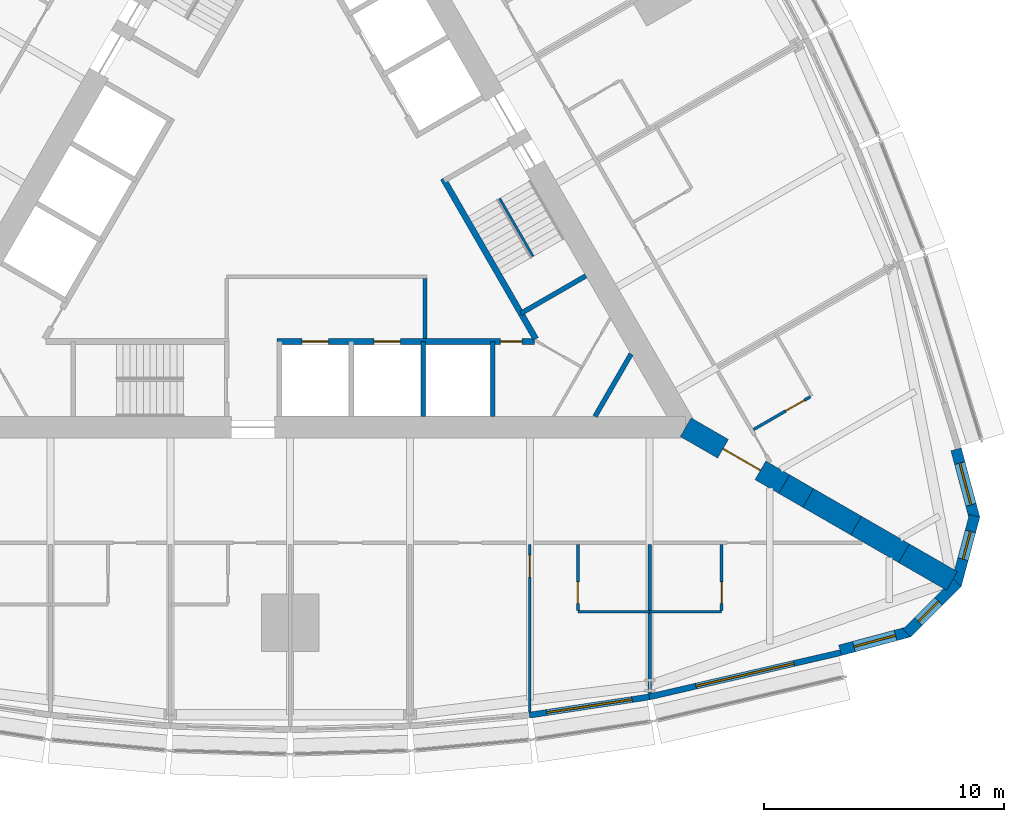
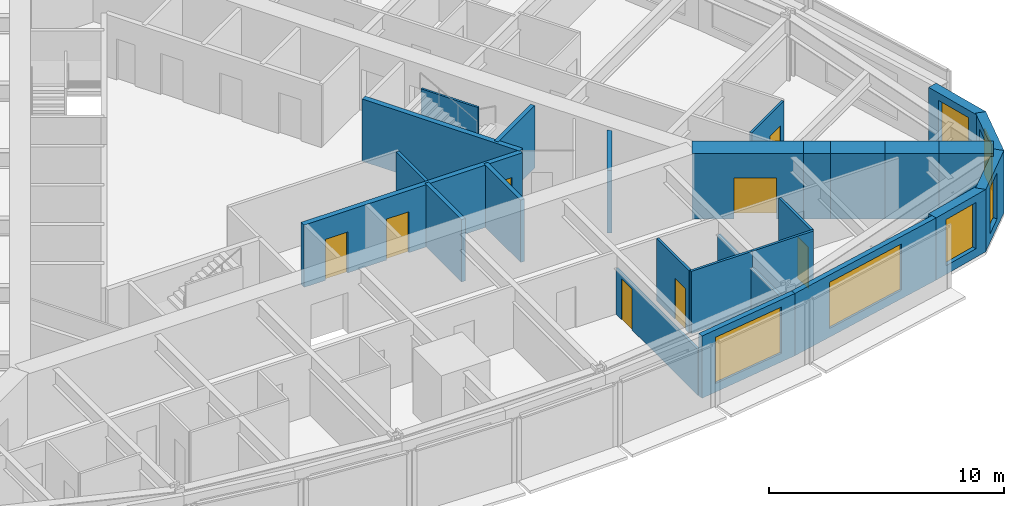
# One storey, part 10 of 14: 26 walls, 8 doors, 6 windows, 14 openings.
"""IFC4 building model written with IfcOpenShell, lengths in metres."""

from ifc_helpers import new_model, si_unit, direction, frame, frame_2d, origin, place, context, subcontext, project, spatial, polyline, rectangle, outline, extrude, material, layer, layer_set, type_object, element, fill, save


model = new_model("IFC4")

# Units and contexts
model_context = context("Model", 3, precision=1e-05, world=origin(), true_north=direction((0.0, 1.0)))
body_context = subcontext(model_context, "Body", "Model", "MODEL_VIEW")
ifc_project = project(units=[si_unit("LENGTHUNIT", "METRE"), si_unit("AREAUNIT", "SQUARE_METRE"), si_unit("VOLUMEUNIT", "CUBIC_METRE"), si_unit("PLANEANGLEUNIT", "RADIAN"), si_unit("MASSUNIT", "GRAM", prefix="KILO")], contexts=[model_context])

# Site, building, storey
site_placement = place(None, origin())
site = spatial("IfcSite", under=ifc_project, at=site_placement, CompositionType="ELEMENT")
building_placement = place(site_placement, origin())
building = spatial("IfcBuilding", under=site, at=building_placement, Name="Trikona Tower", CompositionType="ELEMENT")
storey_placement = place(building_placement, frame((0.0, 0.0, 59.10009765625)))
storey = spatial("IfcBuildingStorey", under=building, at=storey_placement, Name="L14", CompositionType="ELEMENT", Elevation=59.10009765625)

# Wall
ifc_material_1 = material(Name="Metal stud and cement board", Category="gypsum")
ifc_layer_1 = layer(ifc_material_1, 0.1201171875)
ifc_layer_set_1 = layer_set([ifc_layer_1], Name="Bathroom wall 120")
wall_type_1 = type_object("IfcWallType", Name="Bathroom wall 120", PredefinedType="PLUMBINGWALL", material=ifc_layer_set_1)
wall_1_placement = place(storey_placement, frame((12.0, -17.226318359375, 0.0), z_axis=(0.0, 0.0, 1.0), x_axis=(1.0, 0.0, 0.0)))
element("IfcWall", 1, at=wall_1_placement, inside=storey, type_object=wall_type_1, Name="Bathroom wall 1405.1", PredefinedType="PLUMBINGWALL", context=body_context, shape_type="SweptSolid", body=[
    extrude(rectangle(XDim=3.0, YDim=0.1201171875, at=frame_2d((1.5, 0.0))), origin(), (0.0, 0.0, 1.0), 3.23486328125),
])

# Wall, opening, door
wall_2_placement = place(storey_placement, frame((12.0, -14.42626953125, 0.0), z_axis=(0.0, 0.0, 1.0), x_axis=(0.0, -1.0, 0.0)))
wall_2 = element("IfcWall", 2, at=wall_2_placement, inside=storey, type_object=wall_type_1, Name="Bathroom wall 1405.1", PredefinedType="PLUMBINGWALL", context=body_context, shape_type="SweptSolid", body=[
    extrude(rectangle(XDim=2.739990234375, YDim=0.1201171875, at=frame_2d((1.3701171875, 0.0))), origin(), (0.0, 0.0, 1.0), 3.23486328125),
])
opening_1_placement = place(wall_2_placement, frame((1.550048828125, 0.0, 0.0)))
opening_1 = element("IfcOpeningElement", 3, at=opening_1_placement, cuts=wall_2, Name="Opening D2", PredefinedType="OPENING", context=body_context, shape_type="SweptSolid", body=[
    extrude(rectangle(XDim=0.89990234375, YDim=2.1298828125, at=frame_2d((0.449951171875, 1.06494140625))), frame((0.0, 0.070068359375, 0.0), z_axis=(0.0, -1.0, 0.0), x_axis=(1.0, 0.0, 0.0)), (0.0, 0.0, 1.0), 0.14013671875),
])
ifc_material_2 = material(Name="Steel door frame with solid-core timber leaf", Category="steel")
door_type_1 = type_object("IfcDoorType", Name="Bathroom door 900x2130", OperationType="SLIDING_TO_LEFT", PredefinedType="DOOR", material=ifc_material_2)
door_1_placement = place(opening_1_placement, origin())
door_1 = element("IfcDoor", 4, at=door_1_placement, inside=storey, type_object=door_type_1, Name="Bathroom door 1405.1", OperationType="SLIDING_TO_LEFT", OverallHeight=2.1298828125, OverallWidth=0.89990234375, PredefinedType="DOOR", context=body_context, shape_type="SweptSolid", body=[
    extrude(rectangle(XDim=0.89990234375, YDim=2.1298828125, at=frame_2d((0.449951171875, 1.06494140625))), frame((0.0, 0.02490234375, 0.0), z_axis=(0.0, -1.0, 0.0), x_axis=(1.0, 0.0, 0.0)), (0.0, 0.0, 1.0), 0.050048828125),
])
fill(opening_1, door_1)

# Wall
wall_3_placement = place(storey_placement, frame((15.0, -17.226318359375, 0.0), z_axis=(0.0, 0.0, 1.0), x_axis=(1.0, 0.0, 0.0)))
element("IfcWall", 5, at=wall_3_placement, inside=storey, type_object=wall_type_1, Name="Bathroom wall 1406", PredefinedType="PLUMBINGWALL", context=body_context, shape_type="SweptSolid", body=[
    extrude(rectangle(XDim=3.0, YDim=0.1201171875, at=frame_2d((1.5, 0.0))), origin(), (0.0, 0.0, 1.0), 3.23486328125),
])

# Wall, opening, door
wall_4_placement = place(storey_placement, frame((18.0, -14.42626953125, 0.0), z_axis=(0.0, 0.0, 1.0), x_axis=(0.0, -1.0, 0.0)))
wall_4 = element("IfcWall", 6, at=wall_4_placement, inside=storey, type_object=wall_type_1, Name="Bathroom wall 1406", PredefinedType="PLUMBINGWALL", context=body_context, shape_type="SweptSolid", body=[
    extrude(rectangle(XDim=2.739990234375, YDim=0.1201171875, at=frame_2d((1.3701171875, 0.0))), origin(), (0.0, 0.0, 1.0), 3.23486328125),
])
opening_2_placement = place(wall_4_placement, frame((1.550048828125, 0.0, 0.0)))
opening_2 = element("IfcOpeningElement", 7, at=opening_2_placement, cuts=wall_4, Name="Opening D2", PredefinedType="OPENING", context=body_context, shape_type="SweptSolid", body=[
    extrude(rectangle(XDim=0.89990234375, YDim=2.1298828125, at=frame_2d((0.449951171875, 1.06494140625))), frame((0.0, 0.070068359375, 0.0), z_axis=(0.0, -1.0, 0.0), x_axis=(1.0, 0.0, 0.0)), (0.0, 0.0, 1.0), 0.14013671875),
])
door_2_placement = place(opening_2_placement, origin())
door_2 = element("IfcDoor", 8, at=door_2_placement, inside=storey, type_object=door_type_1, Name="Bathroom door 1406", OperationType="SLIDING_TO_LEFT", OverallHeight=2.1298828125, OverallWidth=0.89990234375, PredefinedType="DOOR", context=body_context, shape_type="SweptSolid", body=[
    extrude(rectangle(XDim=0.89990234375, YDim=2.1298828125, at=frame_2d((0.449951171875, 1.06494140625))), frame((0.0, 0.02490234375, 0.0), z_axis=(0.0, -1.0, 0.0), x_axis=(1.0, 0.0, 0.0)), (0.0, 0.0, 1.0), 0.050048828125),
])
fill(opening_2, door_2)

wall_5_placement = place(storey_placement, frame((19.32861328125, -9.625244140625, 0.0), z_axis=(0.0, 0.0, 1.0), x_axis=(0.866035715982, 0.499982138324, 0.0)))
wall_5 = element("IfcWall", 9, at=wall_5_placement, inside=storey, type_object=wall_type_1, Name="Bathroom wall 1407", PredefinedType="PLUMBINGWALL", context=body_context, shape_type="SweptSolid", body=[
    extrude(rectangle(XDim=2.73974609375, YDim=0.1201171875, at=frame_2d((1.369873046875, 0.0))), origin(), (0.0, 0.0, 1.0), 3.23486328125),
])
opening_3_placement = place(wall_5_placement, frame((1.550048828125, 0.0, 0.0)))
opening_3 = element("IfcOpeningElement", 10, at=opening_3_placement, cuts=wall_5, Name="Opening D2", PredefinedType="OPENING", context=body_context, shape_type="SweptSolid", body=[
    extrude(rectangle(XDim=0.89990234375, YDim=2.1298828125, at=frame_2d((0.449951171875, 1.06494140625))), frame((0.0, 0.070068359375, 0.0), z_axis=(0.0, -1.0, 0.0), x_axis=(1.0, 0.0, 0.0)), (0.0, 0.0, 1.0), 0.14013671875),
])
door_3_placement = place(opening_3_placement, origin())
door_3 = element("IfcDoor", 11, at=door_3_placement, inside=storey, type_object=door_type_1, Name="Bathroom door 1407", OperationType="SLIDING_TO_LEFT", OverallHeight=2.1298828125, OverallWidth=0.89990234375, PredefinedType="DOOR", context=body_context, shape_type="SweptSolid", body=[
    extrude(rectangle(XDim=0.89990234375, YDim=2.1298828125, at=frame_2d((0.449951171875, 1.06494140625))), frame((0.0, 0.02490234375, 0.0), z_axis=(0.0, -1.0, 0.0), x_axis=(1.0, 0.0, 0.0)), (0.0, 0.0, 1.0), 0.050048828125),
])
fill(opening_3, door_3)

# Wall, opening, window
ifc_material_3 = material(Name="Brick-faced precast concrete", Category="masonry")
ifc_layer_2 = layer(ifc_material_3, 0.449951171875)
ifc_layer_set_2 = layer_set([ifc_layer_2], Name="Brick-faced corner wall 450")
wall_type_2 = type_object("IfcWallType", Name="Brick-faced corner wall 450", PredefinedType="SOLIDWALL", material=ifc_layer_set_2)
wall_6_placement = place(storey_placement, frame((22.94189453125, -18.835205078125, 0.0), z_axis=(0.0, 0.0, 1.0), x_axis=(0.965930548995, 0.258801419081, 0.0)))
wall_6 = element("IfcWall", 12, at=wall_6_placement, inside=storey, type_object=wall_type_2, Name="External wall L14-08", PredefinedType="SOLIDWALL", context=body_context, shape_type="SweptSolid", body=[
    extrude(rectangle(XDim=2.988525390625, YDim=0.449951171875, at=frame_2d((1.494140625, 0.0))), origin(), (0.0, 0.0, 1.0), 3.23486328125),
])
opening_4_placement = place(wall_6_placement, frame((0.59423828125, 0.0, 0.449951171875)))
opening_4 = element("IfcOpeningElement", 13, at=opening_4_placement, cuts=wall_6, Name="Opening W1824", PredefinedType="OPENING", context=body_context, shape_type="SweptSolid", body=[
    extrude(rectangle(XDim=1.800048828125, YDim=2.39990234375, at=frame_2d((0.89990234375, 1.199951171875))), frame((0.0, 0.23486328125, 0.0), z_axis=(0.0, -1.0, 0.0), x_axis=(1.0, 0.0, 0.0)), (0.0, 0.0, 1.0), 0.469970703125),
])
ifc_material_4 = material(Name="Aluminium-framed double glazing", Category="aluminium")
window_type_1 = type_object("IfcWindowType", Name="Window 1800x2400", PartitioningType="SINGLE_PANEL", PredefinedType="WINDOW", material=ifc_material_4)
window_1_placement = place(opening_4_placement, origin())
window_1 = element("IfcWindow", 14, at=window_1_placement, inside=storey, type_object=window_type_1, Name="Window 1406", OverallHeight=2.39990234375, OverallWidth=1.800048828125, PartitioningType="SINGLE_PANEL", PredefinedType="WINDOW", context=body_context, shape_type="SweptSolid", body=[
    extrude(rectangle(XDim=1.800048828125, YDim=2.39990234375, at=frame_2d((0.89990234375, 1.199951171875))), frame((0.0, 0.030029296875, 0.0), z_axis=(0.0, -1.0, 0.0), x_axis=(1.0, 0.0, 0.0)), (0.0, 0.0, 1.0), 0.06005859375),
])
fill(opening_4, window_1)

wall_7_placement = place(storey_placement, frame((25.727783203125, -18.1201171875, 0.0), z_axis=(0.0, 0.0, 1.0), x_axis=(0.707025086683, 0.707188466253, 0.0)))
wall_7 = element("IfcWall", 15, at=wall_7_placement, inside=storey, type_object=wall_type_2, Name="External wall L14-09", PredefinedType="SOLIDWALL", context=body_context, shape_type="SweptSolid", body=[
    extrude(outline(polyline([(2.988525390625, 0.22509765625), (2.929931640625, 0.22509765625), (2.4375, 0.093017578125), (2.402099609375, 0.22509765625), (0.0, 0.22509765625), (0.0, -0.22509765625), (2.988525390625, -0.22509765625), (2.988525390625, 0.22509765625)])), origin(), (0.0, 0.0, 1.0), 3.23486328125),
])
opening_5_placement = place(wall_7_placement, frame((0.676025390625, 0.0, 0.449951171875)))
opening_5 = element("IfcOpeningElement", 16, at=opening_5_placement, cuts=wall_7, Name="Opening W1224", PredefinedType="OPENING", context=body_context, shape_type="SweptSolid", body=[
    extrude(rectangle(XDim=1.199951171875, YDim=2.39990234375, at=frame_2d((0.60009765625, 1.199951171875))), frame((0.0, 0.23486328125, 0.0), z_axis=(0.0, -1.0, 0.0), x_axis=(1.0, 0.0, 0.0)), (0.0, 0.0, 1.0), 0.469970703125),
])
ifc_material_5 = material(Name="Aluminium-framed double glazing", Category="aluminium")
window_type_2 = type_object("IfcWindowType", Name="Window 1200x2400", PartitioningType="SINGLE_PANEL", PredefinedType="WINDOW", material=ifc_material_5)
window_2_placement = place(opening_5_placement, origin())
window_2 = element("IfcWindow", 17, at=window_2_placement, inside=storey, type_object=window_type_2, Name="Window 1406", OverallHeight=2.39990234375, OverallWidth=1.199951171875, PartitioningType="SINGLE_PANEL", PredefinedType="WINDOW", context=body_context, shape_type="SweptSolid", body=[
    extrude(rectangle(XDim=1.199951171875, YDim=2.39990234375, at=frame_2d((0.60009765625, 1.199951171875))), frame((0.0, 0.030029296875, 0.0), z_axis=(0.0, -1.0, 0.0), x_axis=(1.0, 0.0, 0.0)), (0.0, 0.0, 1.0), 0.06005859375),
])
fill(opening_5, window_2)

wall_8_placement = place(storey_placement, frame((27.78271484375, -16.107666015625, 0.0), z_axis=(0.0, 0.0, 1.0), x_axis=(0.258801419081, 0.965930548995, 0.0)))
wall_8 = element("IfcWall", 18, at=wall_8_placement, inside=storey, type_object=wall_type_2, Name="External wall L14-10", PredefinedType="SOLIDWALL", context=body_context, shape_type="SweptSolid", body=[
    extrude(outline(polyline([(2.988525390625, 0.22509765625), (0.58642578125, 0.22509765625), (0.55126953125, 0.09326171875), (0.0595703125, 0.22509765625), (0.0, 0.22509765625), (0.0, -0.22509765625), (2.988525390625, -0.22509765625), (2.988525390625, 0.22509765625)])), origin(), (0.0, 0.0, 1.0), 3.23486328125),
])
opening_6_placement = place(wall_8_placement, frame((1.112548828125, 0.0, 0.449951171875)))
opening_6 = element("IfcOpeningElement", 19, at=opening_6_placement, cuts=wall_8, Name="Opening W1224", PredefinedType="OPENING", context=body_context, shape_type="SweptSolid", body=[
    extrude(rectangle(XDim=1.199951171875, YDim=2.39990234375, at=frame_2d((0.60009765625, 1.199951171875))), frame((0.0, 0.23486328125, 0.0), z_axis=(0.0, -1.0, 0.0), x_axis=(1.0, 0.0, 0.0)), (0.0, 0.0, 1.0), 0.469970703125),
])
window_3_placement = place(opening_6_placement, origin())
window_3 = element("IfcWindow", 20, at=window_3_placement, inside=storey, type_object=window_type_2, Name="Window 1407", OverallHeight=2.39990234375, OverallWidth=1.199951171875, PartitioningType="SINGLE_PANEL", PredefinedType="WINDOW", context=body_context, shape_type="SweptSolid", body=[
    extrude(rectangle(XDim=1.199951171875, YDim=2.39990234375, at=frame_2d((0.60009765625, 1.199951171875))), frame((0.0, 0.030029296875, 0.0), z_axis=(0.0, -1.0, 0.0), x_axis=(1.0, 0.0, 0.0)), (0.0, 0.0, 1.0), 0.06005859375),
])
fill(opening_6, window_3)

wall_9_placement = place(storey_placement, frame((28.55615234375, -13.33740234375, 0.0), z_axis=(0.0, 0.0, 1.0), x_axis=(-0.258780998834, 0.965936019953, 0.0)))
wall_9 = element("IfcWall", 21, at=wall_9_placement, inside=storey, type_object=wall_type_2, Name="External wall L14-11", PredefinedType="SOLIDWALL", context=body_context, shape_type="SweptSolid", body=[
    extrude(rectangle(XDim=2.98876953125, YDim=0.449951171875, at=frame_2d((1.494384765625, 0.0))), origin(), (0.0, 0.0, 1.0), 3.23486328125),
])
opening_7_placement = place(wall_9_placement, frame((0.59423828125, 0.0, 0.449951171875)))
opening_7 = element("IfcOpeningElement", 22, at=opening_7_placement, cuts=wall_9, Name="Opening W1824", PredefinedType="OPENING", context=body_context, shape_type="SweptSolid", body=[
    extrude(rectangle(XDim=1.800048828125, YDim=2.39990234375, at=frame_2d((0.89990234375, 1.199951171875))), frame((0.0, 0.23486328125, 0.0), z_axis=(0.0, -1.0, 0.0), x_axis=(1.0, 0.0, 0.0)), (0.0, 0.0, 1.0), 0.469970703125),
])
window_4_placement = place(opening_7_placement, origin())
window_4 = element("IfcWindow", 23, at=window_4_placement, inside=storey, type_object=window_type_1, Name="Window 1407", OverallHeight=2.39990234375, OverallWidth=1.800048828125, PartitioningType="SINGLE_PANEL", PredefinedType="WINDOW", context=body_context, shape_type="SweptSolid", body=[
    extrude(rectangle(XDim=1.800048828125, YDim=2.39990234375, at=frame_2d((0.89990234375, 1.199951171875))), frame((0.0, 0.030029296875, 0.0), z_axis=(0.0, -1.0, 0.0), x_axis=(1.0, 0.0, 0.0)), (0.0, 0.0, 1.0), 0.06005859375),
])
fill(opening_7, window_4)

# Wall, opening, door
ifc_material_6 = material(Name="Concrete f'c 10000 psi", Category="concrete")
ifc_layer_3 = layer(ifc_material_6, 0.89990234375)
ifc_layer_set_3 = layer_set([ifc_layer_3], Name="Buttress wall 900")
wall_type_3 = type_object("IfcWallType", Name="Buttress wall 900", PredefinedType="SHEAR", material=ifc_layer_set_3)
wall_10_placement = place(storey_placement, frame((16.5, -9.5263671875, 0.0), z_axis=(0.0, 0.0, 1.0), x_axis=(0.866031398331, -0.499989616998, 0.0)))
wall_10 = element("IfcWall", 24, at=wall_10_placement, inside=storey, type_object=wall_type_3, Name="Buttress wall 1", PredefinedType="SHEAR", context=body_context, shape_type="SweptSolid", body=[
    extrude(rectangle(XDim=4.74609375, YDim=0.89990234375, at=frame_2d((2.373046875, 0.0))), origin(), (0.0, 0.0, 1.0), 3.39990234375),
])
opening_8_placement = place(wall_10_placement, frame((1.800048828125, 0.0, 0.0)))
opening_8 = element("IfcOpeningElement", 25, at=opening_8_placement, cuts=wall_10, Name="Opening D10", PredefinedType="OPENING", context=body_context, shape_type="SweptSolid", body=[
    extrude(rectangle(XDim=1.800048828125, YDim=2.1298828125, at=frame_2d((0.89990234375, 1.06494140625))), frame((0.0, 0.4599609375, 0.0), z_axis=(0.0, -1.0, 0.0), x_axis=(1.0, 0.0, 0.0)), (0.0, 0.0, 1.0), 0.919921875),
])
ifc_material_7 = material(Name="Hollow metal door and frame", Category="steel")
door_type_2 = type_object("IfcDoorType", Name="Cross-corridor door pair 1800x2130", OperationType="DOUBLE_DOOR_DOUBLE_SWING", PredefinedType="DOOR", material=ifc_material_7)
door_4_placement = place(opening_8_placement, origin())
door_4 = element("IfcDoor", 26, at=door_4_placement, inside=storey, type_object=door_type_2, Name="Cross-corridor door 1", OperationType="DOUBLE_DOOR_DOUBLE_SWING", OverallHeight=2.1298828125, OverallWidth=1.800048828125, PredefinedType="DOOR", context=body_context, shape_type="SweptSolid", body=[
    extrude(rectangle(XDim=1.800048828125, YDim=2.1298828125, at=frame_2d((0.89990234375, 1.06494140625))), frame((0.0, 0.02490234375, 0.0), z_axis=(0.0, -1.0, 0.0), x_axis=(1.0, 0.0, 0.0)), (0.0, 0.0, 1.0), 0.050048828125),
])
fill(opening_8, door_4)

# Walls
wall_11_placement = place(storey_placement, frame((20.6103515625, -11.8994140625, 0.0), z_axis=(0.0, 0.0, 1.0), x_axis=(0.866009537788, -0.500027479704, 0.0)))
element("IfcWall", 27, at=wall_11_placement, inside=storey, type_object=wall_type_3, Name="Buttress wall 1 part 2", PredefinedType="SHEAR", context=body_context, shape_type="SweptSolid", body=[
    extrude(rectangle(XDim=1.15478515625, YDim=0.89990234375, at=frame_2d((0.577392578125, 0.0))), origin(), (0.0, 0.0, 1.0), 3.39990234375),
])
for number, where, z_axis, x_axis, name in (
    (28, (21.6103515625, -12.476806640625, 0.0), (0.0, 0.0, 1.0), (0.866055313784, -0.499948190782, 0.0), "Buttress wall 1 part 3"),
    (29, (23.6103515625, -13.63134765625, 0.0), (0.0, 0.0, 1.0), (0.866009537788, -0.500027479704, 0.0), "Buttress wall 1 part 4"),
    (30, (25.6103515625, -14.7861328125, 0.0), (0.0, 0.0, 1.0), (0.866009537788, -0.500027479704, 0.0), "Buttress wall 1 part 5"),
):
    element("IfcWall", number, at=place(storey_placement, frame(where, z_axis=z_axis, x_axis=x_axis)), inside=storey, type_object=wall_type_3, Name=name, PredefinedType="SHEAR", context=body_context, shape_type="SweptSolid", body=[
        extrude(rectangle(XDim=2.309326171875, YDim=0.89990234375, at=frame_2d((1.15478515625, 0.0))), origin(), (0.0, 0.0, 1.0), 3.39990234375),
    ])

# Wall, openings, doors
ifc_material_8 = material(Name="Concrete f'c 8000 psi", Category="concrete")
ifc_layer_4 = layer(ifc_material_8, 0.25)
ifc_layer_set_4 = layer_set([ifc_layer_4], Name="Hub wall 250")
wall_type_4 = type_object("IfcWallType", Name="Hub wall 250", PredefinedType="SOLIDWALL", material=ifc_layer_set_4)
wall_12_placement = place(storey_placement, frame((-0.550048828125, -5.951416015625, 0.0), z_axis=(0.0, 0.0, 1.0), x_axis=(1.0, 0.0, 0.0)))
wall_12 = element("IfcWall", 31, at=wall_12_placement, inside=storey, type_object=wall_type_4, Name="Lift lobby wall A2", PredefinedType="SOLIDWALL", context=body_context, shape_type="SweptSolid", body=[
    extrude(rectangle(XDim=10.73291015625, YDim=0.25, at=frame_2d((5.366455078125, 0.0))), origin(), (0.0, 0.0, 1.0), 3.23486328125),
])
opening_9_placement = place(wall_12_placement, frame((9.31396484375, 0.0, 0.0)))
opening_9 = element("IfcOpeningElement", 32, at=opening_9_placement, cuts=wall_12, Name="Opening D14", PredefinedType="OPENING", context=body_context, shape_type="SweptSolid", body=[
    extrude(rectangle(XDim=0.89990234375, YDim=2.1298828125, at=frame_2d((0.449951171875, 1.06494140625))), frame((0.0, 0.135009765625, 0.0), z_axis=(0.0, -1.0, 0.0), x_axis=(1.0, 0.0, 0.0)), (0.0, 0.0, 1.0), 0.27001953125),
])
opening_10_placement = place(wall_12_placement, frame((1.050048828125, 0.0, 0.0)))
opening_10 = element("IfcOpeningElement", 33, at=opening_10_placement, cuts=wall_12, Name="Opening LD", PredefinedType="OPENING", context=body_context, shape_type="SweptSolid", body=[
    extrude(rectangle(XDim=1.10009765625, YDim=2.1298828125, at=frame_2d((0.550048828125, 1.06494140625))), frame((0.0, 0.135009765625, 0.0), z_axis=(0.0, -1.0, 0.0), x_axis=(1.0, 0.0, 0.0)), (0.0, 0.0, 1.0), 0.27001953125),
])
opening_11_placement = place(wall_12_placement, frame((4.050048828125, 0.0, 0.0)))
opening_11 = element("IfcOpeningElement", 34, at=opening_11_placement, cuts=wall_12, Name="Opening LD", PredefinedType="OPENING", context=body_context, shape_type="SweptSolid", body=[
    extrude(rectangle(XDim=1.10009765625, YDim=2.1298828125, at=frame_2d((0.550048828125, 1.06494140625))), frame((0.0, 0.135009765625, 0.0), z_axis=(0.0, -1.0, 0.0), x_axis=(1.0, 0.0, 0.0)), (0.0, 0.0, 1.0), 0.27001953125),
])
ifc_material_9 = material(Name="Stainless steel lift landing door", Category="steel")
door_type_3 = type_object("IfcDoorType", Name="Lift landing door 1100x2130", OperationType="DOUBLE_DOOR_SLIDING", PredefinedType="USERDEFINED", material=ifc_material_9)
door_5_placement = place(opening_10_placement, origin())
door_5 = element("IfcDoor", 35, at=door_5_placement, inside=storey, type_object=door_type_3, Name="Lift landing door FF1", ObjectType="LIFT LANDING DOOR", OperationType="DOUBLE_DOOR_SLIDING", OverallHeight=2.1298828125, OverallWidth=1.10009765625, PredefinedType="USERDEFINED", context=body_context, shape_type="SweptSolid", body=[
    extrude(rectangle(XDim=1.10009765625, YDim=2.1298828125, at=frame_2d((0.550048828125, 1.06494140625))), frame((0.0, 0.02490234375, 0.0), z_axis=(0.0, -1.0, 0.0), x_axis=(1.0, 0.0, 0.0)), (0.0, 0.0, 1.0), 0.050048828125),
])
fill(opening_10, door_5)
door_6_placement = place(opening_11_placement, origin())
door_6 = element("IfcDoor", 36, at=door_6_placement, inside=storey, type_object=door_type_3, Name="Lift landing door FF2", ObjectType="LIFT LANDING DOOR", OperationType="DOUBLE_DOOR_SLIDING", OverallHeight=2.1298828125, OverallWidth=1.10009765625, PredefinedType="USERDEFINED", context=body_context, shape_type="SweptSolid", body=[
    extrude(rectangle(XDim=1.10009765625, YDim=2.1298828125, at=frame_2d((0.550048828125, 1.06494140625))), frame((0.0, 0.02490234375, 0.0), z_axis=(0.0, -1.0, 0.0), x_axis=(1.0, 0.0, 0.0)), (0.0, 0.0, 1.0), 0.050048828125),
])
fill(opening_11, door_6)
ifc_material_10 = material(Name="Hollow metal door and frame", Category="steel")
door_type_4 = type_object("IfcDoorType", Name="Service room door 900x2130", OperationType="SINGLE_SWING_LEFT", PredefinedType="DOOR", material=ifc_material_10)
door_7_placement = place(opening_9_placement, origin())
door_7 = element("IfcDoor", 37, at=door_7_placement, inside=storey, type_object=door_type_4, Name="Door Linen store LIN", OperationType="SINGLE_SWING_RIGHT", OverallHeight=2.1298828125, OverallWidth=0.89990234375, PredefinedType="DOOR", context=body_context, shape_type="SweptSolid", body=[
    extrude(rectangle(XDim=0.89990234375, YDim=2.1298828125, at=frame_2d((0.449951171875, 1.06494140625))), frame((0.0, 0.02490234375, 0.0), z_axis=(0.0, -1.0, 0.0), x_axis=(1.0, 0.0, 0.0)), (0.0, 0.0, 1.0), 0.050048828125),
])
fill(opening_9, door_7)

# Wall
wall_13_placement = place(storey_placement, frame((10.245361328125, -5.843017578125, 0.0), z_axis=(0.0, 0.0, 1.0), x_axis=(-0.499993009313, 0.866029439822, 0.0)))
element("IfcWall", 38, at=wall_13_placement, inside=storey, type_object=wall_type_4, Name="Lift lobby wall B1", PredefinedType="SOLIDWALL", context=body_context, shape_type="SweptSolid", body=[
    extrude(rectangle(XDim=7.73291015625, YDim=0.25, at=frame_2d((3.866455078125, 0.0))), origin(), (0.0, 0.0, 1.0), 3.23486328125),
])

# Wall, opening, window
ifc_material_11 = material(Name="Insulated precast concrete spandrel panel", Category="concrete")
ifc_layer_5 = layer(ifc_material_11, 0.25)
ifc_layer_set_5 = layer_set([ifc_layer_5], Name="Inner skin wall 250")
wall_type_5 = type_object("IfcWallType", Name="Inner skin wall 250", PredefinedType="STANDARD", material=ifc_layer_set_5)
wall_14_placement = place(storey_placement, frame((9.981201171875, -21.540283203125, 0.0), z_axis=(0.0, 0.0, 1.0), x_axis=(0.988615403399, 0.150464561152, 0.0)))
wall_14 = element("IfcWall", 39, at=wall_14_placement, inside=storey, type_object=wall_type_5, Name="External wall L14-06", PredefinedType="STANDARD", context=body_context, shape_type="SweptSolid", body=[
    extrude(rectangle(XDim=5.0576171875, YDim=0.25, at=frame_2d((2.52880859375, 0.0))), origin(), (0.0, 0.0, 1.0), 3.23486328125),
])
opening_12_placement = place(wall_14_placement, frame((0.728759765625, 0.0, 0.449951171875)))
opening_12 = element("IfcOpeningElement", 40, at=opening_12_placement, cuts=wall_14, Name="Opening W3624", PredefinedType="OPENING", context=body_context, shape_type="SweptSolid", body=[
    extrude(rectangle(XDim=3.60009765625, YDim=2.39990234375, at=frame_2d((1.800048828125, 1.199951171875))), frame((0.0, 0.135009765625, 0.0), z_axis=(0.0, -1.0, 0.0), x_axis=(1.0, 0.0, 0.0)), (0.0, 0.0, 1.0), 0.27001953125),
])
ifc_material_12 = material(Name="Aluminium-framed double glazing", Category="aluminium")
window_type_3 = type_object("IfcWindowType", Name="Window 3600x2400", PartitioningType="SINGLE_PANEL", PredefinedType="WINDOW", material=ifc_material_12)
window_5_placement = place(opening_12_placement, origin())
window_5 = element("IfcWindow", 41, at=window_5_placement, inside=storey, type_object=window_type_3, Name="Window 1405.1", OverallHeight=2.39990234375, OverallWidth=3.60009765625, PartitioningType="SINGLE_PANEL", PredefinedType="WINDOW", context=body_context, shape_type="SweptSolid", body=[
    extrude(rectangle(XDim=3.60009765625, YDim=2.39990234375, at=frame_2d((1.800048828125, 1.199951171875))), frame((0.0, 0.030029296875, 0.0), z_axis=(0.0, -1.0, 0.0), x_axis=(1.0, 0.0, 0.0)), (0.0, 0.0, 1.0), 0.06005859375),
])
fill(opening_12, window_5)

wall_15_placement = place(storey_placement, frame((14.9716796875, -20.78125, 0.0), z_axis=(0.0, 0.0, 1.0), x_axis=(0.974279327392, 0.225343720163, 0.0)))
wall_15 = element("IfcWall", 42, at=wall_15_placement, inside=storey, type_object=wall_type_5, Name="External wall L14-07", PredefinedType="STANDARD", context=body_context, shape_type="SweptSolid", body=[
    extrude(rectangle(XDim=8.211181640625, YDim=0.25, at=frame_2d((4.10546875, 0.0))), origin(), (0.0, 0.0, 1.0), 3.23486328125),
])
opening_13_placement = place(wall_15_placement, frame((2.005615234375, 0.0, 0.449951171875)))
opening_13 = element("IfcOpeningElement", 43, at=opening_13_placement, cuts=wall_15, Name="Opening W4224", PredefinedType="OPENING", context=body_context, shape_type="SweptSolid", body=[
    extrude(rectangle(XDim=4.199951171875, YDim=2.39990234375, at=frame_2d((2.10009765625, 1.199951171875))), frame((0.0, 0.135009765625, 0.0), z_axis=(0.0, -1.0, 0.0), x_axis=(1.0, 0.0, 0.0)), (0.0, 0.0, 1.0), 0.27001953125),
])
ifc_material_13 = material(Name="Aluminium-framed double glazing", Category="aluminium")
window_type_4 = type_object("IfcWindowType", Name="Window 4200x2400", PartitioningType="SINGLE_PANEL", PredefinedType="WINDOW", material=ifc_material_13)
window_6_placement = place(opening_13_placement, origin())
window_6 = element("IfcWindow", 44, at=window_6_placement, inside=storey, type_object=window_type_4, Name="Window 1406", OverallHeight=2.39990234375, OverallWidth=4.199951171875, PartitioningType="SINGLE_PANEL", PredefinedType="WINDOW", context=body_context, shape_type="SweptSolid", body=[
    extrude(rectangle(XDim=4.199951171875, YDim=2.39990234375, at=frame_2d((2.10009765625, 1.199951171875))), frame((0.0, 0.030029296875, 0.0), z_axis=(0.0, -1.0, 0.0), x_axis=(1.0, 0.0, 0.0)), (0.0, 0.0, 1.0), 0.06005859375),
])
fill(opening_13, window_6)

# Walls
ifc_material_14 = material(Name="Metal stud and gypsum board, 2-hour shaft wall", Category="gypsum")
ifc_layer_6 = layer(ifc_material_14, 0.14990234375)
ifc_layer_set_6 = layer_set([ifc_layer_6], Name="Lobby wall 150")
wall_type_6 = type_object("IfcWallType", Name="Lobby wall 150", PredefinedType="PARTITIONING", material=ifc_layer_set_6)
wall_16_placement = place(storey_placement, frame((5.625, -5.826416015625, 0.0), z_axis=(0.0, 0.0, 1.0), x_axis=(0.0, 1.0, 0.0)))
element("IfcWall", 45, at=wall_16_placement, inside=storey, type_object=wall_type_6, Name="Fire service lift lobby wall 3", PredefinedType="PARTITIONING", context=body_context, shape_type="SweptSolid", body=[
    extrude(rectangle(XDim=2.5, YDim=0.14990234375, at=frame_2d((1.25, 0.0))), origin(), (0.0, 0.0, 1.0), 3.23486328125),
])
ifc_material_15 = material(Name="Metal stud and gypsum board, 1-hour acoustic", Category="gypsum")
ifc_layer_7 = layer(ifc_material_15, 0.14990234375)
ifc_layer_set_7 = layer_set([ifc_layer_7], Name="Party wall 150")
wall_type_7 = type_object("IfcWallType", Name="Party wall 150", PredefinedType="PARTITIONING", material=ifc_layer_set_7)
wall_17_placement = place(storey_placement, frame((15.0, -14.42626953125, 0.0), z_axis=(0.0, 0.0, 1.0), x_axis=(0.0, -1.0, 0.0)))
element("IfcWall", 46, at=wall_17_placement, inside=storey, type_object=wall_type_7, Name="Partition L14 F1 u15", PredefinedType="PARTITIONING", context=body_context, shape_type="SweptSolid", body=[
    extrude(rectangle(XDim=6.22021484375, YDim=0.14990234375, at=frame_2d((3.110107421875, 0.0))), origin(), (0.0, 0.0, 1.0), 2.38916015625),
])
ifc_material_16 = material(Name="Concrete f'c 8000 psi", Category="concrete")
ifc_layer_8 = layer(ifc_material_16, 0.199951171875)
ifc_layer_set_8 = layer_set([ifc_layer_8], Name="Shaft wall 200")
wall_type_8 = type_object("IfcWallType", Name="Shaft wall 200", PredefinedType="SOLIDWALL", material=ifc_layer_set_8)
for number, where, z_axis, x_axis, name in (
    (47, (5.550048828125, -5.951416015625, 0.0), (0.0, 0.0, 1.0), (0.0, -1.0, 0.0), "Shaft wall A5"),
    (48, (8.449951171875, -5.951416015625, 0.0), (0.0, 0.0, 1.0), (0.0, -1.0, 0.0), "Shaft wall A6"),
):
    element("IfcWall", number, at=place(storey_placement, frame(where, z_axis=z_axis, x_axis=x_axis)), inside=storey, type_object=wall_type_8, Name=name, PredefinedType="SOLIDWALL", context=body_context, shape_type="SweptSolid", body=[
        extrude(rectangle(XDim=3.125, YDim=0.199951171875, at=frame_2d((1.5625, 0.0))), origin(), (0.0, 0.0, 1.0), 3.23486328125),
    ])
wall_18_placement = place(storey_placement, frame((14.219482421875, -6.476318359375, 0.0), z_axis=(0.0, 0.0, 1.0), x_axis=(-0.499952404951, -0.866052881055, 0.0)))
element("IfcWall", 49, at=wall_18_placement, inside=storey, type_object=wall_type_8, Name="Riser wall L14-RS1", PredefinedType="SOLIDWALL", context=body_context, shape_type="SweptSolid", body=[
    extrude(rectangle(XDim=3.002197265625, YDim=0.199951171875, at=frame_2d((1.5009765625, 0.0))), origin(), (0.0, 0.0, 1.0), 3.23486328125),
])
ifc_material_17 = material(Name="Concrete f'c 8000 psi", Category="concrete")
ifc_layer_9 = layer(ifc_material_17, 0.199951171875)
ifc_layer_set_9 = layer_set([ifc_layer_9], Name="Shaft wall 200 load-bearing")
wall_type_9 = type_object("IfcWallType", Name="Shaft wall 200 load-bearing", PredefinedType="SOLIDWALL", material=ifc_layer_set_9)
wall_19_placement = place(storey_placement, frame((9.62890625, -4.775390625, 0.0), z_axis=(0.0, 0.0, 1.0), x_axis=(0.866022959057, 0.500004234368, 0.0)))
element("IfcWall", 50, at=wall_19_placement, inside=storey, type_object=wall_type_9, Name="Shaft wall B1", PredefinedType="SOLIDWALL", context=body_context, shape_type="SweptSolid", body=[
    extrude(rectangle(XDim=3.125, YDim=0.199951171875, at=frame_2d((1.5625, 0.0))), origin(), (0.0, 0.0, 1.0), 3.23486328125),
])
ifc_material_18 = material(Name="Concrete f'c 5000 psi", Category="concrete")
ifc_layer_10 = layer(ifc_material_18, 0.10009765625)
ifc_layer_set_10 = layer_set([ifc_layer_10], Name="Stair spine wall 100")
wall_type_10 = type_object("IfcWallType", Name="Stair spine wall 100", PredefinedType="SOLIDWALL", material=ifc_layer_set_10)
wall_20_placement = place(storey_placement, frame((10.134765625, -2.4013671875, 0.0), z_axis=(0.0, 0.0, 1.0), x_axis=(-0.499992232847, 0.866029888106, 0.0)))
element("IfcWall", 51, at=wall_20_placement, inside=storey, type_object=wall_type_10, Name="Stair B spine wall L14", PredefinedType="SOLIDWALL", context=body_context, shape_type="SweptSolid", body=[
    extrude(rectangle(XDim=2.7939453125, YDim=0.10009765625, at=frame_2d((1.39697265625, 0.0))), origin(), (0.0, 0.0, 1.0), 3.39990234375),
])

# Wall, opening, door
ifc_material_19 = material(Name="Metal stud and gypsum board, acoustic", Category="gypsum")
ifc_layer_11 = layer(ifc_material_19, 0.10009765625)
ifc_layer_set_11 = layer_set([ifc_layer_11], Name="Suite partition 100")
wall_type_11 = type_object("IfcWallType", Name="Suite partition 100", PredefinedType="PARTITIONING", material=ifc_layer_set_11)
wall_21_placement = place(storey_placement, frame((10.0, -14.42626953125, 0.0), z_axis=(0.0, 0.0, 1.0), x_axis=(0.0, -1.0, 0.0)))
wall_21 = element("IfcWall", 52, at=wall_21_placement, inside=storey, type_object=wall_type_11, Name="Suite partition L14 F1 u10", PredefinedType="PARTITIONING", context=body_context, shape_type="SweptSolid", body=[
    extrude(rectangle(XDim=6.984619140625, YDim=0.10009765625, at=frame_2d((3.4921875, 0.0))), origin(), (0.0, 0.0, 1.0), 2.38916015625),
])
opening_14_placement = place(wall_21_placement, frame((0.449951171875, 0.0, 0.0)))
opening_14 = element("IfcOpeningElement", 53, at=opening_14_placement, cuts=wall_21, Name="Opening D13", PredefinedType="OPENING", context=body_context, shape_type="SweptSolid", body=[
    extrude(rectangle(XDim=0.89990234375, YDim=2.1298828125, at=frame_2d((0.449951171875, 1.06494140625))), frame((0.0, 0.06005859375, 0.0), z_axis=(0.0, -1.0, 0.0), x_axis=(1.0, 0.0, 0.0)), (0.0, 0.0, 1.0), 0.1201171875),
])
ifc_material_20 = material(Name="Steel door frame with solid-core timber leaf", Category="steel")
door_type_5 = type_object("IfcDoorType", Name="Suite door 900x2130", OperationType="SINGLE_SWING_LEFT", PredefinedType="DOOR", material=ifc_material_20)
door_8_placement = place(opening_14_placement, origin())
door_8 = element("IfcDoor", 54, at=door_8_placement, inside=storey, type_object=door_type_5, Name="Suite door 1405", OperationType="SINGLE_SWING_LEFT", OverallHeight=2.1298828125, OverallWidth=0.89990234375, PredefinedType="DOOR", context=body_context, shape_type="SweptSolid", body=[
    extrude(rectangle(XDim=0.89990234375, YDim=2.1298828125, at=frame_2d((0.449951171875, 1.06494140625))), frame((0.0, 0.02490234375, 0.0), z_axis=(0.0, -1.0, 0.0), x_axis=(1.0, 0.0, 0.0)), (0.0, 0.0, 1.0), 0.050048828125),
])
fill(opening_14, door_8)

save(model, "model.ifc")
